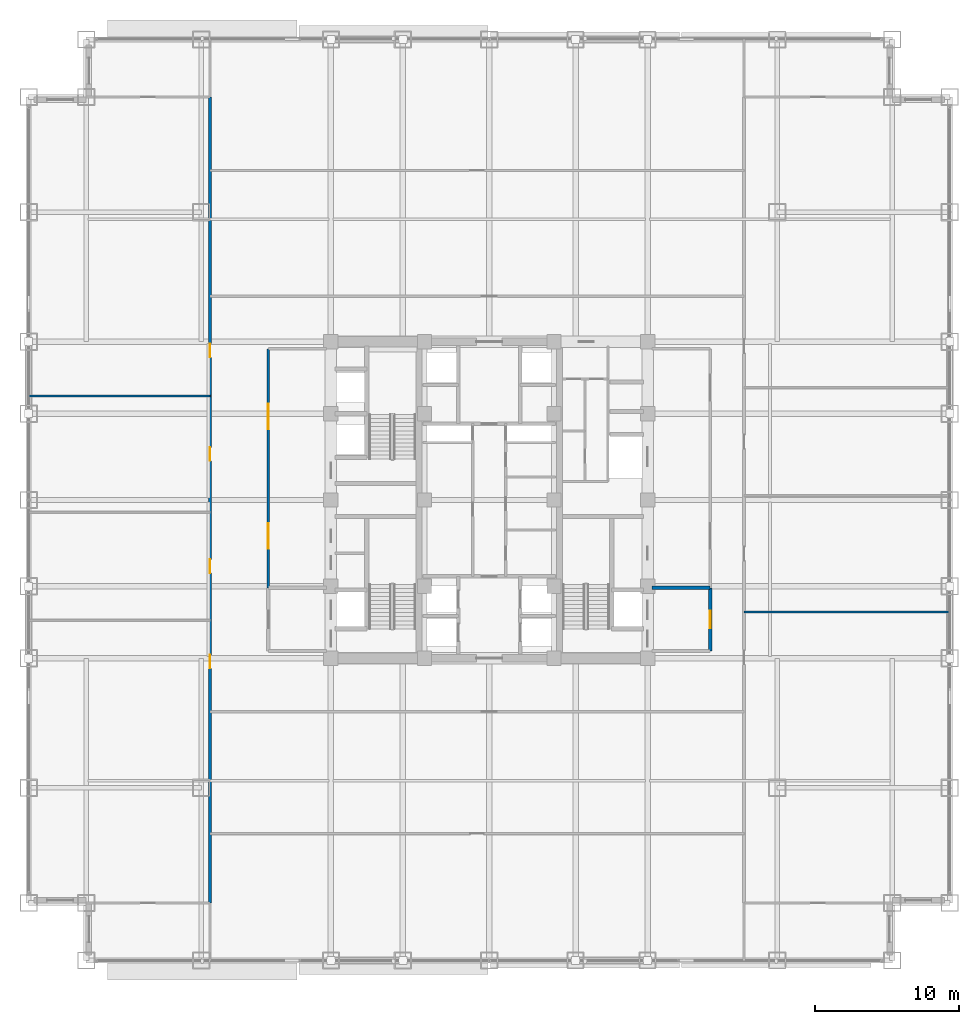
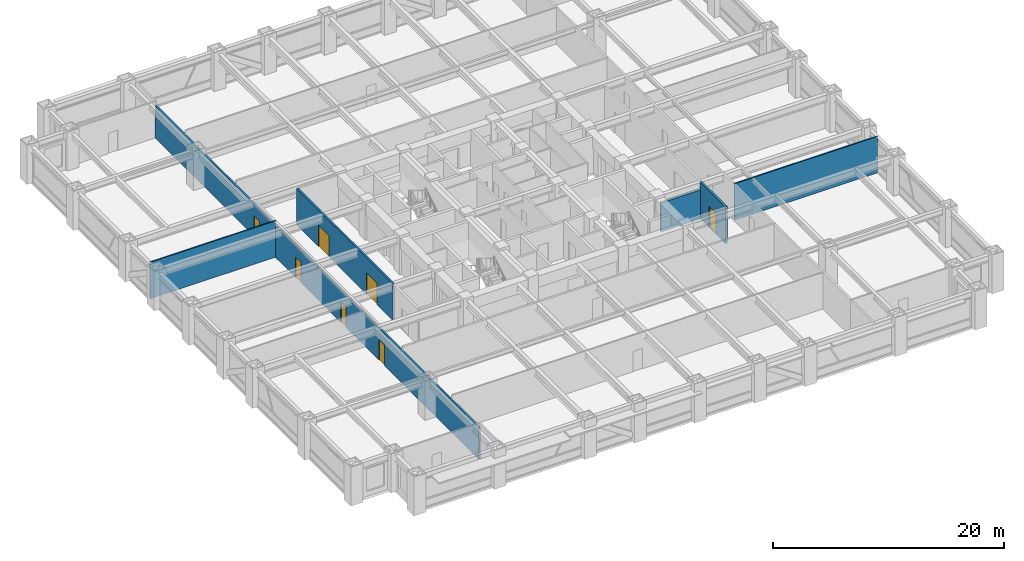
# One storey, part 24 of 32: 7 doors, 6 walls, 7 openings.
"""IFC4 building model written with IfcOpenShell, lengths in metres."""

import ifcopenshell
import ifcopenshell.guid

model = None  # the IFC model being written
_history = None  # IfcOwnerHistory: only IFC2X3 demands one
_inside = {}  # id of a spatial element -> (the spatial element, [elements in it])
_under = {}  # id of a project, library or spatial element -> (it, [spatial elements below it])
_declared = {}  # id of a project -> (the project, [libraries it declares])
_typed = {}  # id of a type object -> (the type object, [elements of that type])
_made_of = {}  # id of a material, layer set ... -> (it, [elements and type objects made of it])


def new_model(schema):
    """Start an empty IFC model of exactly this schema.

    Asked for "IFC4X3", IfcOpenShell would pick the latest addendum, in which some entities
    have other attributes; the version numbers below select the first issue.
    IFC2X3 requires an IfcOwnerHistory on every rooted entity: one is made here for all.
    """
    global model, _history
    if schema == "IFC4X3":
        model = ifcopenshell.file(schema_version=(4, 3, 0, 0))
    else:
        model = ifcopenshell.file(schema=schema)
    _inside.clear()
    _under.clear()
    _declared.clear()
    _typed.clear()
    _made_of.clear()
    _history = None
    if model.schema == "IFC2X3":
        org = make("IfcOrganization", Name="unknown")
        user = make(
            "IfcPersonAndOrganization",
            ThePerson=make("IfcPerson", FamilyName="unknown"),
            TheOrganization=org,
        )
        app = make(
            "IfcApplication",
            ApplicationDeveloper=org,
            Version="unknown",
            ApplicationFullName="unknown",
            ApplicationIdentifier="unknown",
        )
        _history = make(
            "IfcOwnerHistory",
            OwningUser=user,
            OwningApplication=app,
            ChangeAction="ADDED",
            CreationDate=0,
        )
    return model


def make(cls, **values):
    """One entity of the class cls with the attributes given. An attribute that is None is left unset."""
    return model.create_entity(
        cls, **{name: value for name, value in values.items() if value is not None}
    )


def rooted(cls, **values):
    """An entity with a GlobalId (a new one), such as an element, a storey or a relation."""
    return make(cls, GlobalId=ifcopenshell.guid.new(), OwnerHistory=_history, **values)


def si_unit(unit_type, name, prefix=None):
    """IfcSIUnit, for example si_unit("LENGTHUNIT", "METRE", prefix="MILLI")."""
    return make("IfcSIUnit", UnitType=unit_type, Prefix=prefix, Name=name)


def assignment(units):
    """IfcUnitAssignment: the units of a project."""
    return None if units is None else make("IfcUnitAssignment", Units=units)


def point(xyz):
    """IfcCartesianPoint."""
    return None if xyz is None else make("IfcCartesianPoint", Coordinates=xyz)


def direction(xyz):
    """IfcDirection."""
    return None if xyz is None else make("IfcDirection", DirectionRatios=xyz)


def frame(location, z_axis=None, x_axis=None):
    """IfcAxis2Placement3D, a coordinate frame: its origin and axes. An axis left out is left unset."""
    return make(
        "IfcAxis2Placement3D",
        Location=point(location),
        Axis=direction(z_axis),
        RefDirection=direction(x_axis),
    )


def frame_2d(location, x_axis=None):
    """IfcAxis2Placement2D, a coordinate frame in the plane: its origin and x axis."""
    return make(
        "IfcAxis2Placement2D", Location=point(location), RefDirection=direction(x_axis)
    )


def origin():
    """The frame at (0, 0, 0) with its axes left unset."""
    return frame((0.0, 0.0, 0.0))


def place(relative_to, where):
    """IfcLocalPlacement: puts the frame where relative to a parent placement (None: the world)."""
    return make(
        "IfcLocalPlacement", PlacementRelTo=relative_to, RelativePlacement=where
    )


def context(
    kind, dimensions, precision=None, world=None, true_north=None, identifier=None
):
    """IfcGeometricRepresentationContext, for example the 3D "Model" context."""
    return make(
        "IfcGeometricRepresentationContext",
        ContextIdentifier=identifier,
        ContextType=kind,
        CoordinateSpaceDimension=dimensions,
        Precision=precision,
        WorldCoordinateSystem=world,
        TrueNorth=true_north,
    )


def subcontext(parent, identifier, kind, view, scale=None):
    """IfcGeometricRepresentationSubContext, for example "Body" below "Model"."""
    return make(
        "IfcGeometricRepresentationSubContext",
        ContextIdentifier=identifier,
        ContextType=kind,
        ParentContext=parent,
        TargetScale=scale,
        TargetView=view,
    )


def project(units=None, contexts=None):
    """IfcProject with its units and contexts."""
    return rooted(
        "IfcProject",
        Name="project",
        RepresentationContexts=contexts,
        UnitsInContext=assignment(units),
    )


def spatial(cls, under=None, at=None, **own):
    """A site, building, storey or space (cls), placed at a placement, below another one or the project."""
    s = rooted(cls, ObjectPlacement=at, **own)
    if under is not None:
        _under.setdefault(under.id(), (under, []))[1].append(s)
    return s


def profile(cls, at=None, kind="AREA", **sizes):
    """A parametric profile (cls). Its sizes go by their IFC names, for example OverallWidth=200.0."""
    return make(cls, ProfileType=kind, Position=at, **sizes)


def rectangle(**sizes):
    """IfcRectangleProfileDef."""
    return profile("IfcRectangleProfileDef", **sizes)


def extrude(swept, where, along, depth):
    """IfcExtrudedAreaSolid: the profile swept, set in the frame where, extruded along a direction by depth."""
    return make(
        "IfcExtrudedAreaSolid",
        SweptArea=swept,
        Position=where,
        ExtrudedDirection=direction(along),
        Depth=depth,
    )


def shape(context_of_items, identifier, shape_type, items):
    """IfcShapeRepresentation: the items that make up one representation, for example the "Body"."""
    return make(
        "IfcShapeRepresentation",
        ContextOfItems=context_of_items,
        RepresentationIdentifier=identifier,
        RepresentationType=shape_type,
        Items=items,
    )


def source(mapping_origin, context_of_items, identifier, shape_type, items):
    """IfcRepresentationMap: a shape defined once, which mapped items show again and again."""
    return make(
        "IfcRepresentationMap",
        MappingOrigin=mapping_origin,
        MappedRepresentation=shape(context_of_items, identifier, shape_type, items),
    )


def transform(
    local_origin,
    x_axis=None,
    y_axis=None,
    z_axis=None,
    scale=None,
    scale2=None,
    scale3=None,
    uniform=True,
):
    """IfcCartesianTransformationOperator3D, or its non-uniform kind. x_axis, y_axis, z_axis: its Axis1, 2, 3."""
    if uniform:
        return make(
            "IfcCartesianTransformationOperator3D",
            Axis1=direction(x_axis),
            Axis2=direction(y_axis),
            LocalOrigin=point(local_origin),
            Scale=scale,
            Axis3=direction(z_axis),
        )
    return make(
        "IfcCartesianTransformationOperator3DnonUniform",
        Axis1=direction(x_axis),
        Axis2=direction(y_axis),
        LocalOrigin=point(local_origin),
        Scale=scale,
        Axis3=direction(z_axis),
        Scale2=scale2,
        Scale3=scale3,
    )


def mapped(mapping_source, mapping_target):
    """IfcMappedItem: shows the shape of a source again, moved by a transform."""
    return make(
        "IfcMappedItem", MappingSource=mapping_source, MappingTarget=mapping_target
    )


def material(Name=None, Category=None):
    """IfcMaterial."""
    return make("IfcMaterial", Name=Name, Category=Category)


def layer(
    of_material, thickness, ventilated=None, Name=None, Category=None, Priority=None
):
    """IfcMaterialLayer: one layer of a wall or slab, of a material (None: an air gap)."""
    return make(
        "IfcMaterialLayer",
        Material=of_material,
        LayerThickness=thickness,
        IsVentilated=ventilated,
        Name=Name,
        Category=Category,
        Priority=Priority,
    )


def layer_set(layers, Name=None):
    """IfcMaterialLayerSet."""
    return make("IfcMaterialLayerSet", MaterialLayers=layers, LayerSetName=Name)


def made_of(thing, what):
    """Note that an element or type object is made of a material, layer set ...; save() writes the relation."""
    if what is not None:
        _made_of.setdefault(what.id(), (what, []))[1].append(thing)
    return thing


def type_object(cls, material=None, **own):
    """A type object (cls), such as IfcWallType, which elements share."""
    return made_of(rooted(cls, **own), material)


def element(
    cls,
    number,
    at=None,
    inside=None,
    cuts=None,
    type_object=None,
    material=None,
    context=None,
    identifier="Body",
    shape_type=None,
    held_by="IfcProductDefinitionShape",
    body=None,
    shapes=None,
    **own,
):
    """One element of the class cls, such as IfcWall. Its Tag is "e" and its number.

    at: its placement. inside: the storey or other place that contains it. cuts: it is an
    opening in that element (IfcRelVoidsElement). A single representation is given by context,
    identifier, shape_type and body (its items); several are given by shapes. held_by: the class
    of the entity that holds the representations. save() writes the other relations.
    """
    e = rooted(cls, Tag="e%d" % number, ObjectPlacement=at, **own)
    if body is not None:
        shapes = [shape(context, identifier, shape_type, body)]
    if shapes is not None:
        e.Representation = make(held_by, Representations=shapes)
    if inside is not None:
        _inside.setdefault(inside.id(), (inside, []))[1].append(e)
    if cuts is not None:
        rooted(
            "IfcRelVoidsElement", RelatingBuildingElement=cuts, RelatedOpeningElement=e
        )
    if type_object is not None:
        _typed.setdefault(type_object.id(), (type_object, []))[1].append(e)
    return made_of(e, material)


def fill(opening, filler):
    """IfcRelFillsElement: the door or window that sits in an opening."""
    return rooted(
        "IfcRelFillsElement",
        RelatingOpeningElement=opening,
        RelatedBuildingElement=filler,
    )


def aggregate(whole, parts):
    """IfcRelAggregates: a whole, such as a stair, and the parts it consists of."""
    return rooted("IfcRelAggregates", RelatingObject=whole, RelatedObjects=parts)


def save(model, path):
    """Write the relations noted so far, then the file.

    IfcRelAggregates (storeys below a building ...), IfcRelContainedInSpatialStructure (elements
    in a storey), IfcRelDefinesByType, IfcRelAssociatesMaterial and IfcRelDeclares: one each for
    every whole, place, type object, material and project.
    """
    for whole, parts in _under.values():
        aggregate(whole, parts)
    for where, things in _inside.values():
        rooted(
            "IfcRelContainedInSpatialStructure",
            RelatedElements=things,
            RelatingStructure=where,
        )
    for kind, things in _typed.values():
        rooted("IfcRelDefinesByType", RelatedObjects=things, RelatingType=kind)
    for what, things in _made_of.values():
        rooted("IfcRelAssociatesMaterial", RelatedObjects=things, RelatingMaterial=what)
    for by, libraries in _declared.values():
        rooted("IfcRelDeclares", RelatingContext=by, RelatedDefinitions=libraries)
    model.write(path)


model = new_model("IFC4")

# Units and contexts
model_context = context("Model", 3, precision=1e-05, world=origin(), true_north=direction((0.0, 1.0)))
body_context = subcontext(model_context, "Body", "Model", "MODEL_VIEW")
ifc_project = project(units=[si_unit("LENGTHUNIT", "METRE"), si_unit("AREAUNIT", "SQUARE_METRE"), si_unit("VOLUMEUNIT", "CUBIC_METRE"), si_unit("PLANEANGLEUNIT", "RADIAN"), si_unit("MASSUNIT", "GRAM", prefix="KILO")], contexts=[model_context])

# Site, building, storey
site_placement = place(None, origin())
site = spatial("IfcSite", under=ifc_project, at=site_placement, CompositionType="ELEMENT")
building_placement = place(site_placement, origin())
building = spatial("IfcBuilding", under=site, at=building_placement, Name="Khorayat Bourse Tower", CompositionType="ELEMENT")
storey_placement = place(building_placement, frame((0.0, 0.0, 99.60009765625)))
storey = spatial("IfcBuildingStorey", under=building, at=storey_placement, Name="L22", CompositionType="ELEMENT", Elevation=99.60009765625)

# Wall
ifc_material_1 = material(Name="Aerated concrete blockwork", Category="masonry")
ifc_layer_1 = layer(ifc_material_1, 0.219970703125)
ifc_layer_set_1 = layer_set([ifc_layer_1], Name="Aerated concrete blockwork")
wall_type_1 = type_object("IfcWallType", Name="WAL-PART-FF-220", PredefinedType="PARTITIONING", material=ifc_layer_set_1)
shared_shape_1 = source(origin(), body_context, "Body", "SweptSolid", [
    extrude(rectangle(XDim=4.050048828125, YDim=0.219970703125, at=frame_2d((2.02490234375, 0.0))), origin(), (0.0, 0.0, 1.0), 3.06689453125),
])
wall_1_placement = place(storey_placement, frame((11.300048828125, -6.10009765625, 0.0), z_axis=(0.0, 0.0, 1.0), x_axis=(1.0, 0.0, 0.0)))
element("IfcWall", 1, at=wall_1_placement, inside=storey, type_object=wall_type_1, Name="L22 Partition WAL-L22-FFLE-N", PredefinedType="PARTITIONING", context=body_context, shape_type="MappedRepresentation", body=[
    mapped(shared_shape_1, transform((0.0, 0.0, 0.0), scale=1.0)),
])

# Wall, opening, door
shared_shape_2 = source(origin(), body_context, "Body", "SweptSolid", [
    extrude(rectangle(XDim=4.39990234375, YDim=0.219970703125, at=frame_2d((2.199951171875, 0.0))), origin(), (0.0, 0.0, 1.0), 3.83984375),
])
wall_2_placement = place(storey_placement, frame((15.35009765625, -10.5, 0.0), z_axis=(0.0, 0.0, 1.0), x_axis=(0.0, 1.0, 0.0)))
wall_2 = element("IfcWall", 2, at=wall_2_placement, inside=storey, type_object=wall_type_1, Name="L22 Partition WAL-L22-FFLE-E", PredefinedType="PARTITIONING", context=body_context, shape_type="MappedRepresentation", body=[
    mapped(shared_shape_2, transform((0.0, 0.0, 0.0), scale=1.0)),
])
shared_shape_3 = source(origin(), body_context, "Body", "SweptSolid", [
    extrude(rectangle(XDim=1.199951171875, YDim=2.199951171875, at=frame_2d((0.60009765625, 1.10009765625))), frame((0.0, 0.119873046875, 0.0), z_axis=(0.0, -1.0, 0.0), x_axis=(1.0, 0.0, 0.0)), (0.0, 0.0, 1.0), 0.239990234375),
])
opening_1_placement = place(wall_2_placement, frame((1.60009765625, 0.0, 0.0)))
opening_1 = element("IfcOpeningElement", 3, at=opening_1_placement, cuts=wall_2, Name="Opening DI-02", PredefinedType="OPENING", context=body_context, shape_type="MappedRepresentation", body=[
    mapped(shared_shape_3, transform((0.0, 0.0, 0.0), scale=1.0)),
])
ifc_material_2 = material(Name="Fire-rated steel double-seal leaf", Category="steel")
door_type_1 = type_object("IfcDoorType", Name="DR-INT-FFLOBBY-1200", OperationType="NOTDEFINED", PredefinedType="DOOR", material=ifc_material_2)
shared_shape_4 = source(origin(), body_context, "Body", "SweptSolid", [
    extrude(rectangle(XDim=1.199951171875, YDim=2.199951171875, at=frame_2d((0.60009765625, 1.10009765625))), frame((0.0, 0.02490234375, 0.0), z_axis=(0.0, -1.0, 0.0), x_axis=(1.0, 0.0, 0.0)), (0.0, 0.0, 1.0), 0.050048828125),
])
door_1_placement = place(opening_1_placement, origin())
door_1 = element("IfcDoor", 4, at=door_1_placement, inside=storey, type_object=door_type_1, Name="L22 East Firefighting Lobby Door", OperationType="SINGLE_SWING_RIGHT", OverallHeight=2.199951171875, OverallWidth=1.199951171875, PredefinedType="DOOR", context=body_context, shape_type="MappedRepresentation", body=[
    mapped(shared_shape_4, transform((0.0, 0.0, 0.0), scale=1.0)),
])
fill(opening_1, door_1)

# Wall, openings, doors
ifc_material_3 = material(Name="Gypsum plasterboard acoustic stud wall")
ifc_layer_2 = layer(ifc_material_3, 0.179931640625)
ifc_layer_set_2 = layer_set([ifc_layer_2], Name="Gypsum plasterboard acoustic stud wall")
wall_type_2 = type_object("IfcWallType", Name="WAL-PART-CORR-180", PredefinedType="PARTITIONING", material=ifc_layer_set_2)
shared_shape_5 = source(origin(), body_context, "Body", "SweptSolid", [
    extrude(rectangle(XDim=16.60009765625, YDim=0.179931640625, at=frame_2d((8.300048828125, 0.0))), origin(), (0.0, 0.0, 1.0), 3.83984375),
])
wall_3_placement = place(storey_placement, frame((-15.35009765625, -6.10009765625, 0.0), z_axis=(0.0, 0.0, 1.0), x_axis=(0.0, 1.0, 0.0)))
wall_3 = element("IfcWall", 5, at=wall_3_placement, inside=storey, type_object=wall_type_2, Name="L22 Partition WAL-L22-WLOB-W", PredefinedType="PARTITIONING", context=body_context, shape_type="MappedRepresentation", body=[
    mapped(shared_shape_5, transform((0.0, 0.0, 0.0), scale=1.0)),
])
shared_shape_6 = source(origin(), body_context, "Body", "SweptSolid", [
    extrude(rectangle(XDim=1.800048828125, YDim=2.25, at=frame_2d((0.89990234375, 1.125))), frame((0.0, 0.099853515625, 0.0), z_axis=(0.0, -1.0, 0.0), x_axis=(1.0, 0.0, 0.0)), (0.0, 0.0, 1.0), 0.199951171875),
])
opening_2_placement = place(wall_3_placement, frame((2.699951171875, 0.0, 0.0)))
opening_2 = element("IfcOpeningElement", 6, at=opening_2_placement, cuts=wall_3, Name="Opening DI-03", PredefinedType="OPENING", context=body_context, shape_type="MappedRepresentation", body=[
    mapped(shared_shape_6, transform((0.0, 0.0, 0.0), scale=1.0)),
])
opening_3_placement = place(wall_3_placement, frame((11.0, 0.0, 0.0)))
opening_3 = element("IfcOpeningElement", 7, at=opening_3_placement, cuts=wall_3, Name="Opening DI-03", PredefinedType="OPENING", context=body_context, shape_type="MappedRepresentation", body=[
    mapped(shared_shape_6, transform((0.0, 0.0, 0.0), scale=1.0)),
])
ifc_material_4 = material(Name="Fire-rated hardwood vision-panel double leaf", Category="wood")
door_type_2 = type_object("IfcDoorType", Name="DR-INT-CORR-1800", OperationType="NOTDEFINED", PredefinedType="DOOR", material=ifc_material_4)
shared_shape_7 = source(origin(), body_context, "Body", "SweptSolid", [
    extrude(rectangle(XDim=1.800048828125, YDim=2.25, at=frame_2d((0.89990234375, 1.125))), frame((0.0, 0.02490234375, 0.0), z_axis=(0.0, -1.0, 0.0), x_axis=(1.0, 0.0, 0.0)), (0.0, 0.0, 1.0), 0.050048828125),
])
door_2_placement = place(opening_2_placement, origin())
door_2 = element("IfcDoor", 8, at=door_2_placement, inside=storey, type_object=door_type_2, Name="L22 West Core Lobby South Door", OperationType="SINGLE_SWING_LEFT", OverallHeight=2.25, OverallWidth=1.800048828125, PredefinedType="DOOR", context=body_context, shape_type="MappedRepresentation", body=[
    mapped(shared_shape_7, transform((0.0, 0.0, 0.0), scale=1.0)),
])
fill(opening_2, door_2)
door_3_placement = place(opening_3_placement, origin())
door_3 = element("IfcDoor", 9, at=door_3_placement, inside=storey, type_object=door_type_2, Name="L22 West Core Lobby North Door", OperationType="SINGLE_SWING_RIGHT", OverallHeight=2.25, OverallWidth=1.800048828125, PredefinedType="DOOR", context=body_context, shape_type="MappedRepresentation", body=[
    mapped(shared_shape_7, transform((0.0, 0.0, 0.0), scale=1.0)),
])
fill(opening_3, door_3)

# Wall
ifc_material_5 = material(Name="Gypsum plasterboard partition")
ifc_layer_3 = layer(ifc_material_5, 0.125)
ifc_layer_set_3 = layer_set([ifc_layer_3], Name="Gypsum plasterboard partition")
wall_type_3 = type_object("IfcWallType", Name="WAL-PART-ROOM-125", PredefinedType="PARTITIONING", material=ifc_layer_set_3)
shared_shape_8 = source(origin(), body_context, "Body", "SweptSolid", [
    extrude(rectangle(XDim=12.60009765625, YDim=0.125, at=frame_2d((6.300048828125, 0.0))), origin(), (0.0, 0.0, 1.0), 3.83984375),
])
wall_4_placement = place(storey_placement, frame((-32.0, 7.22607421875, 0.0), z_axis=(0.0, 0.0, 1.0), x_axis=(1.0, 0.0, 0.0)))
element("IfcWall", 10, at=wall_4_placement, inside=storey, type_object=wall_type_3, Name="L22 Partition WAL-L22-WDV-3", PredefinedType="PARTITIONING", context=body_context, shape_type="MappedRepresentation", body=[
    mapped(shared_shape_8, transform((0.0, 0.0, 0.0), scale=1.0)),
])

# Wall, openings, doors
shared_shape_9 = source(origin(), body_context, "Body", "SweptSolid", [
    extrude(rectangle(XDim=56.0, YDim=0.179931640625, at=frame_2d((28.0, 0.0))), origin(), (0.0, 0.0, 1.0), 3.370849609375),
])
wall_5_placement = place(storey_placement, frame((-19.39990234375, -28.0, 0.0), z_axis=(0.0, 0.0, 1.0), x_axis=(0.0, 1.0, 0.0)))
wall_5 = element("IfcWall", 11, at=wall_5_placement, inside=storey, type_object=wall_type_2, Name="L22 Partition WAL-L22-WCORR", PredefinedType="PARTITIONING", context=body_context, shape_type="MappedRepresentation", body=[
    mapped(shared_shape_9, transform((0.0, 0.0, 0.0), scale=1.0)),
])
shared_shape_10 = source(origin(), body_context, "Body", "SweptSolid", [
    extrude(rectangle(XDim=0.949951171875, YDim=2.14990234375, at=frame_2d((0.47509765625, 1.074951171875))), frame((0.0, 0.099853515625, 0.0), z_axis=(0.0, -1.0, 0.0), x_axis=(1.0, 0.0, 0.0)), (0.0, 0.0, 1.0), 0.199951171875),
])
opening_4_placement = place(wall_5_placement, frame((16.298583984375, 0.0, 0.0)))
opening_4 = element("IfcOpeningElement", 12, at=opening_4_placement, cuts=wall_5, Name="Opening DI-05", PredefinedType="OPENING", context=body_context, shape_type="MappedRepresentation", body=[
    mapped(shared_shape_10, transform((0.0, 0.0, 0.0), scale=1.0)),
])
opening_5_placement = place(wall_5_placement, frame((22.922607421875, 0.0, 0.0)))
opening_5 = element("IfcOpeningElement", 13, at=opening_5_placement, cuts=wall_5, Name="Opening DI-05", PredefinedType="OPENING", context=body_context, shape_type="MappedRepresentation", body=[
    mapped(shared_shape_10, transform((0.0, 0.0, 0.0), scale=1.0)),
])
opening_6_placement = place(wall_5_placement, frame((30.7119140625, 0.0, 0.0)))
opening_6 = element("IfcOpeningElement", 14, at=opening_6_placement, cuts=wall_5, Name="Opening DI-05", PredefinedType="OPENING", context=body_context, shape_type="MappedRepresentation", body=[
    mapped(shared_shape_10, transform((0.0, 0.0, 0.0), scale=1.0)),
])
opening_7_placement = place(wall_5_placement, frame((37.9130859375, 0.0, 0.0)))
opening_7 = element("IfcOpeningElement", 15, at=opening_7_placement, cuts=wall_5, Name="Opening DI-05", PredefinedType="OPENING", context=body_context, shape_type="MappedRepresentation", body=[
    mapped(shared_shape_10, transform((0.0, 0.0, 0.0), scale=1.0)),
])
ifc_material_6 = material(Name="Acoustic oak veneer office door")
door_type_3 = type_object("IfcDoorType", Name="DR-INT-OFFICE-950", OperationType="NOTDEFINED", PredefinedType="DOOR", material=ifc_material_6)
shared_shape_11 = source(origin(), body_context, "Body", "SweptSolid", [
    extrude(rectangle(XDim=0.949951171875, YDim=2.14990234375, at=frame_2d((0.47509765625, 1.074951171875))), frame((0.0, 0.02490234375, 0.0), z_axis=(0.0, -1.0, 0.0), x_axis=(1.0, 0.0, 0.0)), (0.0, 0.0, 1.0), 0.050048828125),
])
door_4_placement = place(opening_4_placement, origin())
door_4 = element("IfcDoor", 16, at=door_4_placement, inside=storey, type_object=door_type_3, Name="L22 Members Dining Room W1 Door", OperationType="SINGLE_SWING_RIGHT", OverallHeight=2.14990234375, OverallWidth=0.949951171875, PredefinedType="DOOR", context=body_context, shape_type="MappedRepresentation", body=[
    mapped(shared_shape_11, transform((0.0, 0.0, 0.0), scale=1.0)),
])
fill(opening_4, door_4)
door_5_placement = place(opening_5_placement, origin())
door_5 = element("IfcDoor", 17, at=door_5_placement, inside=storey, type_object=door_type_3, Name="L22 Catering Servery Kitchen W2 Door", OperationType="SINGLE_SWING_LEFT", OverallHeight=2.14990234375, OverallWidth=0.949951171875, PredefinedType="DOOR", context=body_context, shape_type="MappedRepresentation", body=[
    mapped(shared_shape_11, transform((0.0, 0.0, 0.0), scale=1.0)),
])
fill(opening_5, door_5)
door_6_placement = place(opening_6_placement, origin())
door_6 = element("IfcDoor", 18, at=door_6_placement, inside=storey, type_object=door_type_3, Name="L22 Staff Tea Pantry W3 Door", OperationType="SINGLE_SWING_RIGHT", OverallHeight=2.14990234375, OverallWidth=0.949951171875, PredefinedType="DOOR", context=body_context, shape_type="MappedRepresentation", body=[
    mapped(shared_shape_11, transform((0.0, 0.0, 0.0), scale=1.0)),
])
fill(opening_6, door_6)
door_7_placement = place(opening_7_placement, origin())
door_7 = element("IfcDoor", 19, at=door_7_placement, inside=storey, type_object=door_type_3, Name="L22 Public Washrooms and Restrooms W4 Door", OperationType="SINGLE_SWING_LEFT", OverallHeight=2.14990234375, OverallWidth=0.949951171875, PredefinedType="DOOR", context=body_context, shape_type="MappedRepresentation", body=[
    mapped(shared_shape_11, transform((0.0, 0.0, 0.0), scale=1.0)),
])
fill(opening_7, door_7)

# Wall
shared_shape_12 = source(origin(), body_context, "Body", "SweptSolid", [
    extrude(rectangle(XDim=14.300048828125, YDim=0.125, at=frame_2d((7.14990234375, 0.0))), origin(), (0.0, 0.0, 1.0), 3.83984375),
])
wall_6_placement = place(storey_placement, frame((17.699951171875, -7.77587890625, 0.0), z_axis=(0.0, 0.0, 1.0), x_axis=(1.0, 0.0, 0.0)))
element("IfcWall", 20, at=wall_6_placement, inside=storey, type_object=wall_type_3, Name="L22 Partition WAL-L22-EDV-1", PredefinedType="PARTITIONING", context=body_context, shape_type="MappedRepresentation", body=[
    mapped(shared_shape_12, transform((0.0, 0.0, 0.0), scale=1.0)),
])

save(model, "model.ifc")
